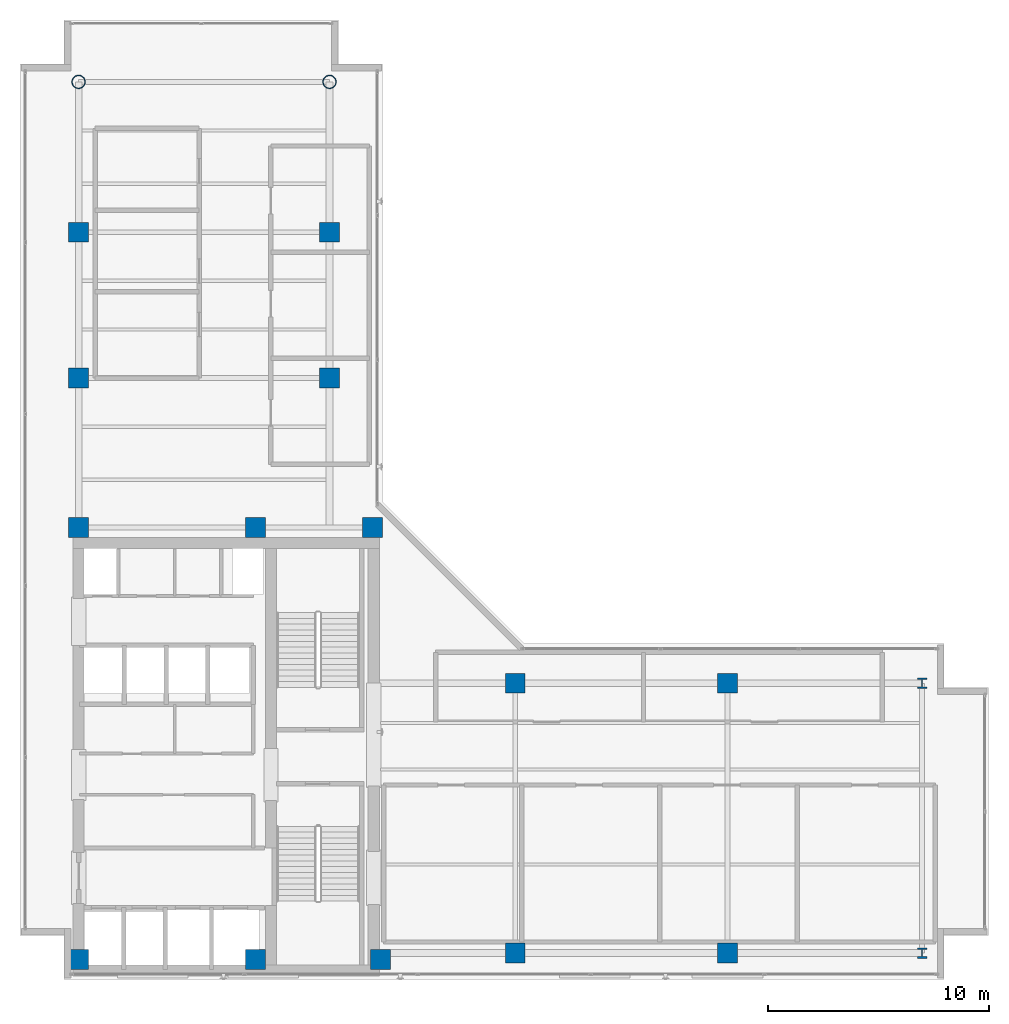
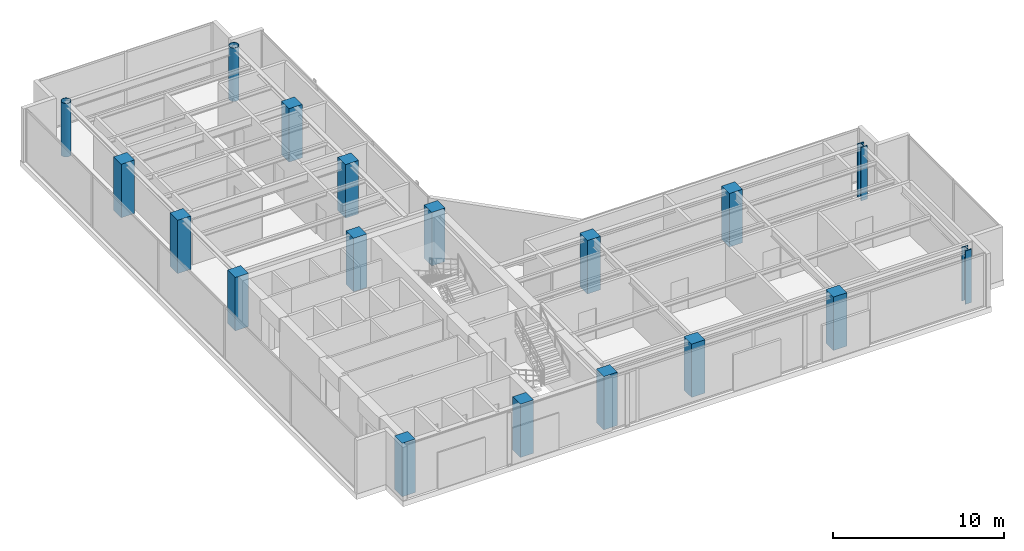
# One storey, part 1 of 24: 18 columns.
"""IFC4 building model written with IfcOpenShell, lengths in metres."""

from ifc_helpers import new_model, si_unit, direction, frame, origin, origin_2d, place, context, subcontext, project, spatial, rectangle, hollow_circle, i_section, extrude, material, material_profile, profile_set, type_object, element, save


model = new_model("IFC4")

# Units and contexts
model_context = context("Model", 3, precision=1e-05, world=origin(), true_north=direction((0.0, 1.0)))
body_context = subcontext(model_context, "Body", "Model", "MODEL_VIEW")
ifc_project = project(units=[si_unit("LENGTHUNIT", "METRE"), si_unit("AREAUNIT", "SQUARE_METRE"), si_unit("VOLUMEUNIT", "CUBIC_METRE"), si_unit("PLANEANGLEUNIT", "RADIAN"), si_unit("MASSUNIT", "GRAM", prefix="KILO")], contexts=[model_context])

# Site, building, storey
site_placement = place(None, origin())
site = spatial("IfcSite", under=ifc_project, at=site_placement, CompositionType="ELEMENT")
building_placement = place(site_placement, origin())
building = spatial("IfcBuilding", under=site, at=building_placement, Name="Kolvaren Waterfront Exchange", CompositionType="ELEMENT")
storey_placement = place(building_placement, frame((0.0, 0.0, 356.199951171875)))
storey = spatial("IfcBuildingStorey", under=building, at=storey_placement, Name="L91", CompositionType="ELEMENT", Elevation=356.199951171875)

# Columns
ifc_material_1 = material(Name="Concrete C50/60", Category="concrete")
ifc_material_profile_1 = material_profile(ifc_material_1, rectangle(XDim=0.89990234375, YDim=0.89990234375, at=origin_2d()), Name="RC-COL-900x900")
ifc_profile_set_1 = profile_set([ifc_material_profile_1], Name="Concrete C50/60")
column_type_1 = type_object("IfcColumnType", Name="STR-COL-900-C50", PredefinedType="COLUMN", material=ifc_profile_set_1)
for number, where, z_axis, x_axis, name in (
    (1, (7.449951171875, 4.89990234375, 0.0), (0.0, 0.0, 1.0), (1.0, 0.0, 0.0), "L91 column MC01"),
    (2, (15.449951171875, 4.89990234375, 0.0), (0.0, 0.0, 1.0), (1.0, 0.0, 0.0), "L91 column MC02"),
    (3, (21.10009765625, 4.89990234375, 0.0), (0.0, 0.0, 1.0), (1.0, 0.0, 0.0), "L91 column MC03"),
    (4, (7.449951171875, 24.449951171875, 0.0), (0.0, 0.0, 1.0), (1.0, 0.0, 0.0), "L91 column MC04"),
    (5, (15.449951171875, 24.449951171875, 0.0), (0.0, 0.0, 1.0), (1.0, 0.0, 0.0), "L91 column MC05"),
    (6, (20.75, 24.449951171875, 0.0), (0.0, 0.0, 1.0), (1.0, 0.0, 0.0), "L91 column MC06"),
    (7, (7.449951171875, 31.199951171875, 0.0), (0.0, 0.0, 1.0), (1.0, 0.0, 0.0), "L91 column NC01"),
    (8, (7.449951171875, 37.800048828125, 0.0), (0.0, 0.0, 1.0), (1.0, 0.0, 0.0), "L91 column NC02"),
    (9, (18.800048828125, 31.199951171875, 0.0), (0.0, 0.0, 1.0), (1.0, 0.0, 0.0), "L91 column NC04"),
    (10, (18.800048828125, 37.800048828125, 0.0), (0.0, 0.0, 1.0), (1.0, 0.0, 0.0), "L91 column NC05"),
    (11, (27.199951171875, 5.199951171875, 0.0), (0.0, 0.0, 1.0), (1.0, 0.0, 0.0), "L91 column EC01"),
    (12, (36.800048828125, 5.199951171875, 0.0), (0.0, 0.0, 1.0), (1.0, 0.0, 0.0), "L91 column EC02"),
    (13, (27.199951171875, 17.39990234375, 0.0), (0.0, 0.0, 1.0), (1.0, 0.0, 0.0), "L91 column EC04"),
    (14, (36.800048828125, 17.39990234375, 0.0), (0.0, 0.0, 1.0), (1.0, 0.0, 0.0), "L91 column EC05"),
):
    element("IfcColumn", number, at=place(storey_placement, frame(where, z_axis=z_axis, x_axis=x_axis)), inside=storey, type_object=column_type_1, Name=name, PredefinedType="COLUMN", context=body_context, shape_type="SweptSolid", body=[
        extrude(rectangle(XDim=0.89990234375, YDim=0.89990234375, at=origin_2d()), origin(), (0.0, 0.0, 1.0), 3.820068359375),
    ])
ifc_material_2 = material(Name="Steel S460", Category="steel")
ifc_material_profile_2 = material_profile(ifc_material_2, hollow_circle(Radius=0.304931640625, WallThickness=0.02490234375, at=origin_2d()), Name="CHS610x25")
ifc_profile_set_2 = profile_set([ifc_material_profile_2], Name="Steel S460")
column_type_2 = type_object("IfcColumnType", Name="STR-COL-CHS610", PredefinedType="COLUMN", material=ifc_profile_set_2)
for number, where, z_axis, x_axis, name in (
    (15, (7.449951171875, 44.60009765625, 0.0), (0.0, 0.0, 1.0), (1.0, 0.0, 0.0), "L91 column NC03"),
    (16, (18.800048828125, 44.60009765625, 0.0), (0.0, 0.0, 1.0), (1.0, 0.0, 0.0), "L91 column NC06"),
):
    element("IfcColumn", number, at=place(storey_placement, frame(where, z_axis=z_axis, x_axis=x_axis)), inside=storey, type_object=column_type_2, Name=name, PredefinedType="COLUMN", context=body_context, shape_type="SweptSolid", body=[
        extrude(hollow_circle(Radius=0.304931640625, WallThickness=0.02490234375, at=origin_2d()), origin(), (0.0, 0.0, 1.0), 3.820068359375),
    ])
ifc_material_profile_3 = material_profile(ifc_material_2, i_section(OverallWidth=0.424072265625, OverallDepth=0.47412109375, WebThickness=0.04296875, FlangeThickness=0.070068359375, FilletRadius=0.014892578125, at=origin_2d()), Name="HD400x634")
ifc_profile_set_3 = profile_set([ifc_material_profile_3], Name="Steel S460")
column_type_3 = type_object("IfcColumnType", Name="STR-COL-HD634", PredefinedType="COLUMN", material=ifc_profile_set_3)
for number, where, z_axis, x_axis, name in (
    (17, (45.60009765625, 5.199951171875, 0.0), (0.0, 0.0, 1.0), (1.0, 0.0, 0.0), "L91 column EC03"),
    (18, (45.60009765625, 17.39990234375, 0.0), (0.0, 0.0, 1.0), (1.0, 0.0, 0.0), "L91 column EC06"),
):
    element("IfcColumn", number, at=place(storey_placement, frame(where, z_axis=z_axis, x_axis=x_axis)), inside=storey, type_object=column_type_3, Name=name, PredefinedType="COLUMN", context=body_context, shape_type="SweptSolid", body=[
        extrude(i_section(OverallWidth=0.424072265625, OverallDepth=0.47412109375, WebThickness=0.04296875, FlangeThickness=0.070068359375, FilletRadius=0.014892578125, at=origin_2d()), origin(), (0.0, 0.0, 1.0), 3.820068359375),
    ])

save(model, "model.ifc")
